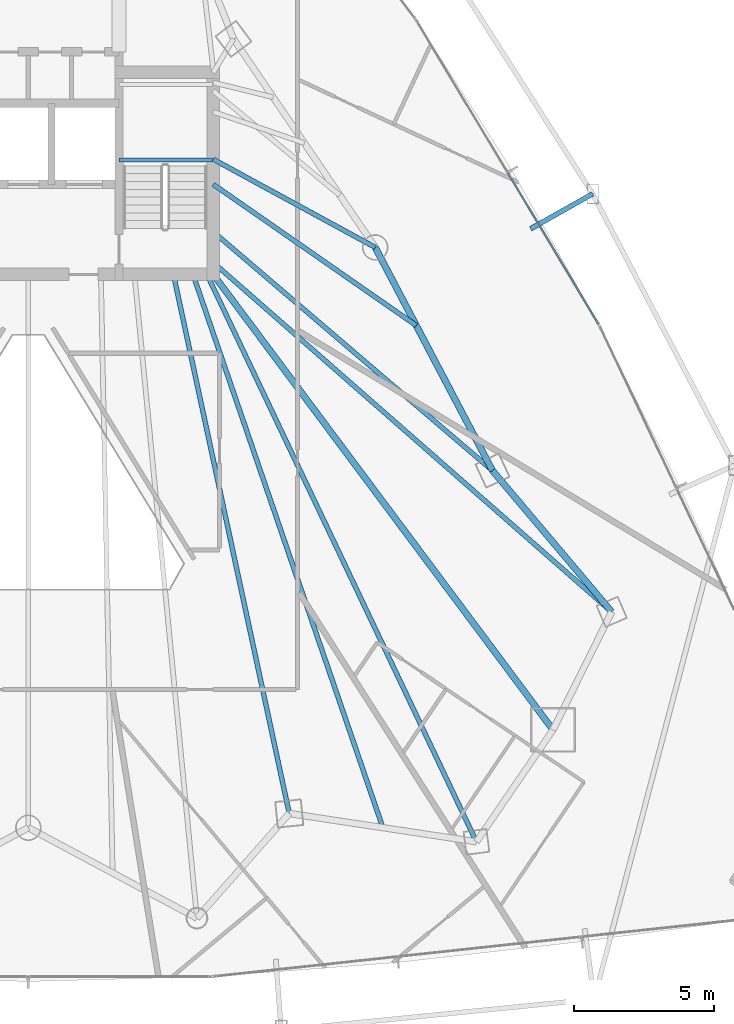
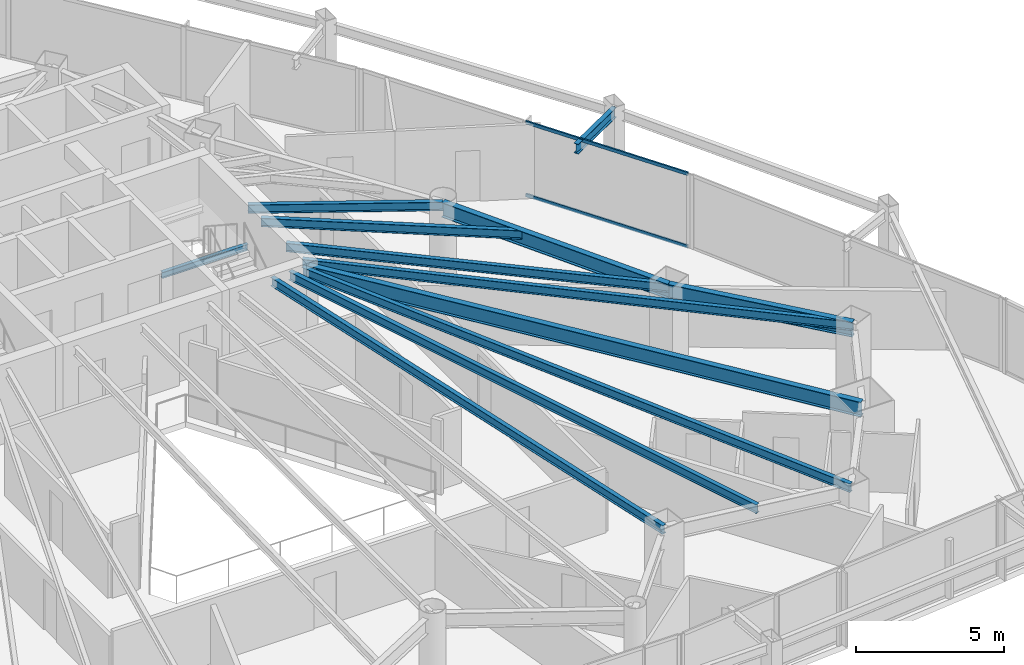
# One storey, part 19 of 38: 12 beams, 2 members, 1 element without a shape of its own.
"""IFC4 building model written with IfcOpenShell, lengths in metres."""

from ifc_helpers import new_model, si_unit, direction, frame, origin, origin_2d, place, context, subcontext, project, spatial, hollow_rectangle, i_section, extrude, material, layer, layer_set, material_profile, profile_set, type_object, element, aggregate, save


model = new_model("IFC4")

# Units and contexts
model_context = context("Model", 3, precision=1e-05, world=origin(), true_north=direction((0.0, 1.0)))
body_context = subcontext(model_context, "Body", "Model", "MODEL_VIEW")
ifc_project = project(units=[si_unit("LENGTHUNIT", "METRE"), si_unit("AREAUNIT", "SQUARE_METRE"), si_unit("VOLUMEUNIT", "CUBIC_METRE"), si_unit("PLANEANGLEUNIT", "RADIAN"), si_unit("MASSUNIT", "GRAM", prefix="KILO")], contexts=[model_context])

# Site, building, storey
site_placement = place(None, origin())
site = spatial("IfcSite", under=ifc_project, at=site_placement, CompositionType="ELEMENT")
building_placement = place(site_placement, origin())
building = spatial("IfcBuilding", under=site, at=building_placement, Name="Orvanel Arch Residences", CompositionType="ELEMENT")
storey_placement = place(building_placement, frame((0.0, 0.0, 46.699951171875)))
storey = spatial("IfcBuildingStorey", under=building, at=storey_placement, Name="L12", CompositionType="ELEMENT", Elevation=46.699951171875)

# Beams
ifc_material_1 = material(Name="Structural steel AS/NZS 3679.1 Grade 300 (300 MPa)", Category="steel")
ifc_material_profile_1 = material_profile(ifc_material_1, i_section(OverallWidth=0.22900390625, OverallDepth=0.612060546875, WebThickness=0.011962890625, FlangeThickness=0.01953125, at=origin_2d()), Name="610UB125")
ifc_profile_set_1 = profile_set([ifc_material_profile_1], Name="Structural steel AS/NZS 3679.1 Grade 300 (300 MPa)")
beam_type_1 = type_object("IfcBeamType", Name="BG-610UB", PredefinedType="BEAM", material=ifc_profile_set_1)
beam_1_placement = place(storey_placement, frame((39.625, 26.675048828125, 2.754150390625), z_axis=(0.597893733742, -0.801575375839, 0.0), x_axis=(0.801575375839, 0.597893733742, 0.0)))
element("IfcBeam", 1, at=beam_1_placement, inside=storey, type_object=beam_type_1, Name="L12 South-East Radial Girder", PredefinedType="BEAM", context=body_context, shape_type="SweptSolid", body=[
    extrude(i_section(OverallWidth=0.22900390625, OverallDepth=0.612060546875, WebThickness=0.011962890625, FlangeThickness=0.01953125, at=origin_2d()), origin(), (0.0, 0.0, 1.0), 20.36474609375),
])
ifc_material_profile_2 = material_profile(ifc_material_1, i_section(OverallWidth=0.14599609375, OverallDepth=0.251953125, WebThickness=0.006103515625, FlangeThickness=0.008544921875, at=origin_2d()), Name="250UB31.4")
ifc_profile_set_2 = profile_set([ifc_material_profile_2], Name="Structural steel AS/NZS 3679.1 Grade 300 (300 MPa)")
beam_type_2 = type_object("IfcBeamType", Name="BJ-250UB", PredefinedType="JOIST", material=ifc_profile_set_2)
beam_2_placement = place(storey_placement, frame((36.25, 30.780029296875, 1.323974609375), z_axis=(1.0, 0.0, 0.0), x_axis=(0.0, 1.0, 0.0)))
element("IfcBeam", 2, at=beam_2_placement, inside=storey, type_object=beam_type_2, Name="L12 ST-2 Half-Landing Support Beam 1.1", PredefinedType="JOIST", context=body_context, shape_type="SweptSolid", body=[
    extrude(i_section(OverallWidth=0.14599609375, OverallDepth=0.251953125, WebThickness=0.006103515625, FlangeThickness=0.008544921875, at=origin_2d()), origin(), (0.0, 0.0, 1.0), 3.35009765625),
])
ifc_material_profile_3 = material_profile(ifc_material_1, i_section(OverallWidth=0.1708984375, OverallDepth=0.35595703125, WebThickness=0.00732421875, FlangeThickness=0.011474609375, at=origin_2d()), Name="360UB50.7")
ifc_profile_set_3 = profile_set([ifc_material_profile_3], Name="Structural steel AS/NZS 3679.1 Grade 300 (300 MPa)")
beam_type_3 = type_object("IfcBeamType", Name="BJ-360UB", PredefinedType="JOIST", material=ifc_profile_set_3)
beam_3_placement = place(storey_placement, frame((39.625, 30.800048828125, 2.882080078125), z_axis=(0.878399029914, -0.477927969726, 0.0), x_axis=(0.477927969726, 0.878399029914, 0.0)))
element("IfcBeam", 3, at=beam_3_placement, inside=storey, type_object=beam_type_3, Name="L12 NE Wing Floor Joist", PredefinedType="JOIST", context=body_context, shape_type="SweptSolid", body=[
    extrude(i_section(OverallWidth=0.1708984375, OverallDepth=0.35595703125, WebThickness=0.00732421875, FlangeThickness=0.011474609375, at=origin_2d()), origin(), (0.0, 0.0, 1.0), 6.609619140625),
])
beam_4_placement = place(storey_placement, frame((39.625, 28.199951171875, 2.882080078125), z_axis=(0.760024297953, -0.649894658018, 0.0), x_axis=(0.649894658018, 0.760024297953, 0.0)))
element("IfcBeam", 4, at=beam_4_placement, inside=storey, type_object=beam_type_3, Name="L12 E Wing Floor Joist", PredefinedType="JOIST", context=body_context, shape_type="SweptSolid", body=[
    extrude(i_section(OverallWidth=0.1708984375, OverallDepth=0.35595703125, WebThickness=0.00732421875, FlangeThickness=0.011474609375, at=origin_2d()), origin(), (0.0, 0.0, 1.0), 13.16796875),
])
beam_5_placement = place(storey_placement, frame((38.199951171875, 26.675048828125, 2.882080078125), z_axis=(0.210066515515, -0.977687096703, 0.0), x_axis=(0.977687096703, 0.210066515515, 0.0)))
element("IfcBeam", 5, at=beam_5_placement, inside=storey, type_object=beam_type_3, Name="L12 SE Wing Floor Joist", PredefinedType="JOIST", context=body_context, shape_type="SweptSolid", body=[
    extrude(i_section(OverallWidth=0.1708984375, OverallDepth=0.35595703125, WebThickness=0.00732421875, FlangeThickness=0.011474609375, at=origin_2d()), origin(), (0.0, 0.0, 1.0), 19.760986328125),
])
beam_6_placement = place(storey_placement, frame((39.625, 27.10009765625, 2.882080078125), z_axis=(0.751924114057, -0.659249669472, 0.0), x_axis=(0.659249669472, 0.751924114057, 0.0)))
element("IfcBeam", 6, at=beam_6_placement, inside=storey, type_object=beam_type_3, Name="L12 ME Wing Floor Joist", PredefinedType="JOIST", context=body_context, shape_type="SweptSolid", body=[
    extrude(i_section(OverallWidth=0.1708984375, OverallDepth=0.35595703125, WebThickness=0.00732421875, FlangeThickness=0.011474609375, at=origin_2d()), origin(), (0.0, 0.0, 1.0), 18.9912109375),
])
beam_7_placement = place(storey_placement, frame((39.39990234375, 26.675048828125, 2.882080078125), z_axis=(0.429042657795, -0.903284228686, 0.0), x_axis=(0.903284228686, 0.429042657795, 0.0)))
element("IfcBeam", 7, at=beam_7_placement, inside=storey, type_object=beam_type_3, Name="L12 MSE Wing Floor Joist", PredefinedType="JOIST", context=body_context, shape_type="SweptSolid", body=[
    extrude(i_section(OverallWidth=0.1708984375, OverallDepth=0.35595703125, WebThickness=0.00732421875, FlangeThickness=0.011474609375, at=origin_2d()), origin(), (0.0, 0.0, 1.0), 22.513427734375),
])
beam_8_placement = place(storey_placement, frame((39.625, 29.89990234375, 2.882080078125), z_axis=(0.821089880853, -0.570798920427, 0.0), x_axis=(0.570798920427, 0.821089880853, 0.0)))
element("IfcBeam", 8, at=beam_8_placement, inside=storey, type_object=beam_type_3, Name="L12 CTE Wing Floor Joist", PredefinedType="JOIST", context=body_context, shape_type="SweptSolid", body=[
    extrude(i_section(OverallWidth=0.1708984375, OverallDepth=0.35595703125, WebThickness=0.00732421875, FlangeThickness=0.011474609375, at=origin_2d()), origin(), (0.0, 0.0, 1.0), 8.86279296875),
])
beam_9_placement = place(storey_placement, frame((38.89990234375, 26.675048828125, 2.882080078125), z_axis=(0.324621456495, -0.945844019901, 0.0), x_axis=(0.945844019901, 0.324621456495, 0.0)))
element("IfcBeam", 9, at=beam_9_placement, inside=storey, type_object=beam_type_3, Name="L12 JADD2 Wing Floor Joist", PredefinedType="JOIST", context=body_context, shape_type="SweptSolid", body=[
    extrude(i_section(OverallWidth=0.1708984375, OverallDepth=0.35595703125, WebThickness=0.00732421875, FlangeThickness=0.011474609375, at=origin_2d()), origin(), (0.0, 0.0, 1.0), 20.96337890625),
])
ifc_material_profile_4 = material_profile(ifc_material_1, i_section(OverallWidth=0.177978515625, OverallDepth=0.406005859375, WebThickness=0.0078125, FlangeThickness=0.0126953125, at=origin_2d()), Name="410UB59.7")
ifc_profile_set_4 = profile_set([ifc_material_profile_4], Name="Structural steel AS/NZS 3679.1 Grade 300 (300 MPa)")
beam_type_4 = type_object("IfcBeamType", Name="OB-410UB-EXT", PredefinedType="SPANDREL", material=ifc_profile_set_4)
beam_10_placement = place(storey_placement, frame((51.0, 28.30810546875, 2.85693359375), z_axis=(0.871383694473, 0.490602137181, 0.0), x_axis=(-0.490602137181, 0.871383694473, 0.0)))
element("IfcBeam", 10, at=beam_10_placement, inside=storey, type_object=beam_type_4, Name="L12 Outer Frame Radial Tie Beam 10", PredefinedType="SPANDREL", context=body_context, shape_type="SweptSolid", body=[
    extrude(i_section(OverallWidth=0.177978515625, OverallDepth=0.406005859375, WebThickness=0.0078125, FlangeThickness=0.0126953125, at=origin_2d()), origin(), (0.0, 0.0, 1.0), 2.5498046875),
])
ifc_material_profile_5 = material_profile(ifc_material_1, i_section(OverallWidth=0.22900390625, OverallDepth=0.612060546875, WebThickness=0.011962890625, FlangeThickness=0.01953125, at=origin_2d()), Name="610UB125")
ifc_profile_set_5 = profile_set([ifc_material_profile_5], Name="Structural steel AS/NZS 3679.1 Grade 300 (300 MPa)")
beam_type_5 = type_object("IfcBeamType", Name="SP-610UB", PredefinedType="SPANDREL", material=ifc_profile_set_5)
beam_11_placement = place(storey_placement, frame((53.905029296875, 14.580078125, 2.754150390625), z_axis=(-0.644950329775, 0.764224490659, 0.0), x_axis=(-0.764224490659, -0.644950329775, 0.0)))
element("IfcBeam", 11, at=beam_11_placement, inside=storey, type_object=beam_type_5, Name="L12 Perimeter Spandrel Beam 12", PredefinedType="SPANDREL", context=body_context, shape_type="SweptSolid", body=[
    extrude(i_section(OverallWidth=0.22900390625, OverallDepth=0.612060546875, WebThickness=0.011962890625, FlangeThickness=0.01953125, at=origin_2d()), origin(), (0.0, 0.0, 1.0), 6.623779296875),
])
beam_12_placement = place(storey_placement, frame((49.633056640625, 19.64208984375, 2.754150390625), z_axis=(-0.465064762793, 0.885276660942, 0.0), x_axis=(-0.885276660942, -0.465064762793, 0.0)))
element("IfcBeam", 12, at=beam_12_placement, inside=storey, type_object=beam_type_5, Name="L12 Perimeter Spandrel Beam 13", PredefinedType="SPANDREL", context=body_context, shape_type="SweptSolid", body=[
    extrude(i_section(OverallWidth=0.22900390625, OverallDepth=0.612060546875, WebThickness=0.011962890625, FlangeThickness=0.01953125, at=origin_2d()), origin(), (0.0, 0.0, 1.0), 9.03564453125),
])

# Curtain wall, members
ifc_material_2 = material(Name="Bronze-anodised aluminium AA6063-T6", Category="aluminium")
ifc_layer = layer(ifc_material_2, 0.179931640625)
ifc_layer_set = layer_set([ifc_layer], Name="Bronze-anodised aluminium AA6063-T6")
curtain_wall_type = type_object("IfcCurtainWallType", Name="CW2-LOW-SYS", PredefinedType="NOTDEFINED", material=ifc_layer_set)
curtain_wall_placement = place(storey_placement, origin())
curtain_wall = element("IfcCurtainWall", 13, at=curtain_wall_placement, inside=storey, type_object=curtain_wall_type, Name="L12 CW2-LOW-SYS Unitised Curtain Wall", PredefinedType="NOTDEFINED")
ifc_material_profile_6 = material_profile(ifc_material_2, hollow_rectangle(XDim=0.06005859375, YDim=0.135009765625, WallThickness=0.00390625, at=origin_2d()), Name="ALU135x60x4")
ifc_profile_set_6 = profile_set([ifc_material_profile_6], Name="Bronze-anodised aluminium AA6063-T6")
member_type = type_object("IfcMemberType", Name="TRN-135x60", PredefinedType="USERDEFINED", material=ifc_profile_set_6)
member_1_placement = place(storey_placement, frame((53.421875, 24.91796875, 0.030029296875), z_axis=(-0.514352631458, 0.857578783851, 0.0), x_axis=(-0.857578783851, -0.514352631458, 0.0)))
member_1 = element("IfcMember", 14, at=member_1_placement, type_object=member_type, Name="CW-S2 transom 1.1", ObjectType="TRANSOM", PredefinedType="USERDEFINED", context=body_context, shape_type="SweptSolid", body=[
    extrude(hollow_rectangle(XDim=0.06005859375, YDim=0.135009765625, WallThickness=0.00390625, at=origin_2d()), origin(), (0.0, 0.0, 1.0), 6.271728515625),
])
member_2_placement = place(storey_placement, frame((53.421875, 24.91796875, 3.030029296875), z_axis=(-0.514352631458, 0.857578783851, 0.0), x_axis=(-0.857578783851, -0.514352631458, 0.0)))
member_2 = element("IfcMember", 15, at=member_2_placement, type_object=member_type, Name="CW-S2 transom 1.2", ObjectType="TRANSOM", PredefinedType="USERDEFINED", context=body_context, shape_type="SweptSolid", body=[
    extrude(hollow_rectangle(XDim=0.06005859375, YDim=0.135009765625, WallThickness=0.00390625, at=origin_2d()), origin(), (0.0, 0.0, 1.0), 6.271728515625),
])
aggregate(curtain_wall, [member_1, member_2])

save(model, "model.ifc")
